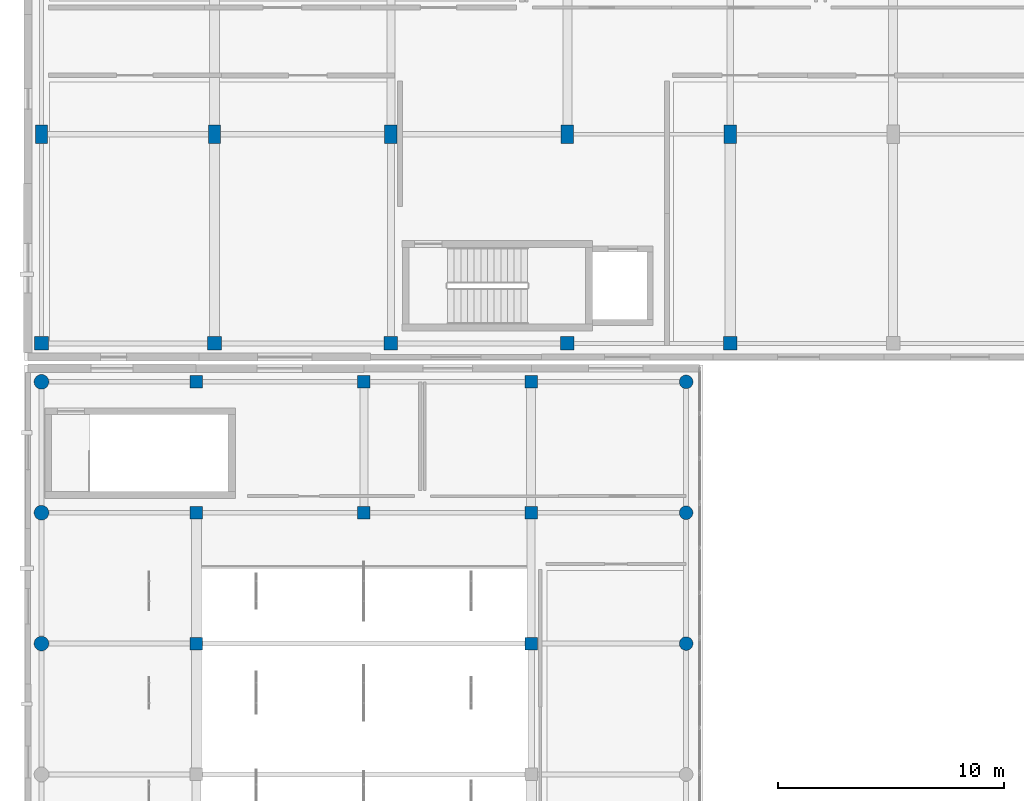
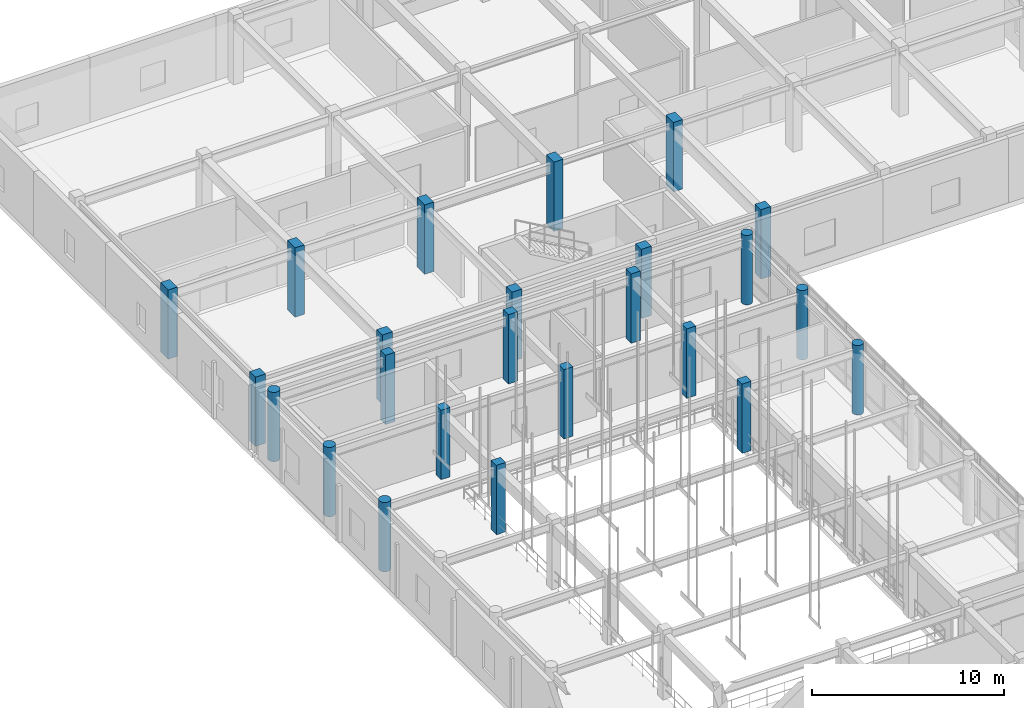
# One storey, part 9 of 142: 24 columns.
"""IFC4 building model written with IfcOpenShell, lengths in metres."""

from ifc_helpers import new_model, si_unit, direction, frame, origin, origin_2d, place, context, subcontext, project, spatial, rectangle, circle, extrude, material, material_profile, profile_set, type_object, element, save


model = new_model("IFC4")

# Units and contexts
model_context = context("Model", 3, precision=1e-05, world=origin(), true_north=direction((0.0, 1.0)))
body_context = subcontext(model_context, "Body", "Model", "MODEL_VIEW")
ifc_project = project(units=[si_unit("LENGTHUNIT", "METRE"), si_unit("AREAUNIT", "SQUARE_METRE"), si_unit("VOLUMEUNIT", "CUBIC_METRE"), si_unit("PLANEANGLEUNIT", "RADIAN"), si_unit("MASSUNIT", "GRAM", prefix="KILO")], contexts=[model_context])

# Site, building, storey
site_placement = place(None, origin())
site = spatial("IfcSite", under=ifc_project, at=site_placement, CompositionType="ELEMENT")
building_placement = place(site_placement, origin())
building = spatial("IfcBuilding", under=site, at=building_placement, Name="Valcora Specialist Clinic", CompositionType="ELEMENT")
storey_placement = place(building_placement, frame((0.0, 0.0, 5.10009765625)))
storey = spatial("IfcBuildingStorey", under=building, at=storey_placement, Name="L01", CompositionType="ELEMENT", Elevation=5.10009765625)

# Columns
ifc_material = material(Name="Concrete C40/50", Category="concrete")
ifc_material_profile_1 = material_profile(ifc_material, rectangle(XDim=0.550048828125, YDim=0.550048828125, at=origin_2d()), Name="RC-COL-550X550")
ifc_profile_set_1 = profile_set([ifc_material_profile_1], Name="Concrete C40/50")
column_type_1 = type_object("IfcColumnType", Name="TY-COL-RC550", PredefinedType="COLUMN", material=ifc_profile_set_1)
for number, where, z_axis, x_axis, name in (
    (1, (7.60009765625, 67.678955078125, 0.0), (0.0, 0.0, 1.0), (1.0, 0.0, 0.0), "Column COL-L01-0050"),
    (2, (7.60009765625, 73.464111328125, 0.0), (0.0, 0.0, 1.0), (1.0, 0.0, 0.0), "Column COL-L01-0053"),
    (3, (7.60009765625, 79.25, 0.0), (0.0, 0.0, 1.0), (1.0, 0.0, 0.0), "Column COL-L01-0056"),
    (4, (15.0, 73.464111328125, 0.0), (0.0, 0.0, 1.0), (1.0, 0.0, 0.0), "Column COL-L01-0073"),
    (5, (15.0, 79.25, 0.0), (0.0, 0.0, 1.0), (1.0, 0.0, 0.0), "Column COL-L01-0076"),
    (6, (22.39990234375, 67.678955078125, 0.0), (0.0, 0.0, 1.0), (1.0, 0.0, 0.0), "Column COL-L01-0094"),
    (7, (22.39990234375, 73.464111328125, 0.0), (0.0, 0.0, 1.0), (1.0, 0.0, 0.0), "Column COL-L01-0097"),
    (8, (22.39990234375, 79.25, 0.0), (0.0, 0.0, 1.0), (1.0, 0.0, 0.0), "Column COL-L01-0100"),
):
    element("IfcColumn", number, at=place(storey_placement, frame(where, z_axis=z_axis, x_axis=x_axis)), inside=storey, type_object=column_type_1, Name=name, PredefinedType="COLUMN", context=body_context, shape_type="SweptSolid", body=[
        extrude(rectangle(XDim=0.550048828125, YDim=0.550048828125, at=origin_2d()), origin(), (0.0, 0.0, 1.0), 4.419921875),
    ])
ifc_material_profile_2 = material_profile(ifc_material, rectangle(XDim=0.550048828125, YDim=0.800048828125, at=origin_2d()), Name="RC-COL-550X800")
ifc_profile_set_2 = profile_set([ifc_material_profile_2], Name="Concrete C40/50")
column_type_2 = type_object("IfcColumnType", Name="TY-COL-RC550X800", PredefinedType="COLUMN", material=ifc_profile_set_2)
for number, where, z_axis, x_axis, name in (
    (9, (0.75, 90.199951171875, 0.0), (0.0, 0.0, 1.0), (1.0, 0.0, 0.0), "Column COL-L01-0139"),
    (10, (8.39990234375, 90.199951171875, 0.0), (0.0, 0.0, 1.0), (1.0, 0.0, 0.0), "Column COL-L01-0151"),
    (11, (16.199951171875, 90.199951171875, 0.0), (0.0, 0.0, 1.0), (1.0, 0.0, 0.0), "Column COL-L01-0163"),
    (12, (24.0, 90.199951171875, 0.0), (0.0, 0.0, 1.0), (1.0, 0.0, 0.0), "Column COL-L01-0179"),
    (13, (31.199951171875, 90.199951171875, 0.0), (0.0, 0.0, 1.0), (1.0, 0.0, 0.0), "Column COL-L01-0195"),
):
    element("IfcColumn", number, at=place(storey_placement, frame(where, z_axis=z_axis, x_axis=x_axis)), inside=storey, type_object=column_type_2, Name=name, PredefinedType="COLUMN", context=body_context, shape_type="SweptSolid", body=[
        extrude(rectangle(XDim=0.550048828125, YDim=0.800048828125, at=origin_2d()), origin(), (0.0, 0.0, 1.0), 4.419921875),
    ])
ifc_material_profile_3 = material_profile(ifc_material, rectangle(XDim=0.60009765625, YDim=0.60009765625, at=origin_2d()), Name="RC-COL-600X600")
ifc_profile_set_3 = profile_set([ifc_material_profile_3], Name="Concrete C40/50")
column_type_3 = type_object("IfcColumnType", Name="TY-COL-RC600", PredefinedType="COLUMN", material=ifc_profile_set_3)
for number, where, z_axis, x_axis, name in (
    (14, (0.75, 80.949951171875, 0.0), (0.0, 0.0, 1.0), (1.0, 0.0, 0.0), "Column COL-L01-0135"),
    (15, (8.39990234375, 80.949951171875, 0.0), (0.0, 0.0, 1.0), (1.0, 0.0, 0.0), "Column COL-L01-0147"),
    (16, (16.199951171875, 80.949951171875, 0.0), (0.0, 0.0, 1.0), (1.0, 0.0, 0.0), "Column COL-L01-0159"),
    (17, (24.0, 80.949951171875, 0.0), (0.0, 0.0, 1.0), (1.0, 0.0, 0.0), "Column COL-L01-0175"),
    (18, (31.199951171875, 80.949951171875, 0.0), (0.0, 0.0, 1.0), (1.0, 0.0, 0.0), "Column COL-L01-0191"),
):
    element("IfcColumn", number, at=place(storey_placement, frame(where, z_axis=z_axis, x_axis=x_axis)), inside=storey, type_object=column_type_3, Name=name, PredefinedType="COLUMN", context=body_context, shape_type="SweptSolid", body=[
        extrude(rectangle(XDim=0.60009765625, YDim=0.60009765625, at=origin_2d()), origin(), (0.0, 0.0, 1.0), 4.419921875),
    ])
ifc_material_profile_4 = material_profile(ifc_material, circle(Radius=0.300048828125, at=origin_2d()), Name="RC-COL-D600")
ifc_profile_set_4 = profile_set([ifc_material_profile_4], Name="Concrete C40/50")
column_type_4 = type_object("IfcColumnType", Name="TY-COL-RCD600", PredefinedType="COLUMN", material=ifc_profile_set_4)
for number, where, z_axis, x_axis, name in (
    (19, (29.25, 67.678955078125, 0.0), (0.0, 0.0, 1.0), (1.0, 0.0, 0.0), "Column COL-L01-0123"),
    (20, (29.25, 73.464111328125, 0.0), (0.0, 0.0, 1.0), (1.0, 0.0, 0.0), "Column COL-L01-0127"),
    (21, (29.25, 79.25, 0.0), (0.0, 0.0, 1.0), (1.0, 0.0, 0.0), "Column COL-L01-0131"),
):
    element("IfcColumn", number, at=place(storey_placement, frame(where, z_axis=z_axis, x_axis=x_axis)), inside=storey, type_object=column_type_4, Name=name, PredefinedType="COLUMN", context=body_context, shape_type="SweptSolid", body=[
        extrude(circle(Radius=0.300048828125, at=origin_2d()), origin(), (0.0, 0.0, 1.0), 4.419921875),
    ])
ifc_material_profile_5 = material_profile(ifc_material, circle(Radius=0.324951171875, at=origin_2d()), Name="RC-COL-D650")
ifc_profile_set_5 = profile_set([ifc_material_profile_5], Name="Concrete C40/50")
column_type_5 = type_object("IfcColumnType", Name="TY-COL-RCD650", PredefinedType="COLUMN", material=ifc_profile_set_5)
for number, where, z_axis, x_axis, name in (
    (22, (0.75, 67.678955078125, 0.0), (0.0, 0.0, 1.0), (1.0, 0.0, 0.0), "Column COL-L01-0023"),
    (23, (0.75, 73.464111328125, 0.0), (0.0, 0.0, 1.0), (1.0, 0.0, 0.0), "Column COL-L01-0027"),
    (24, (0.75, 79.25, 0.0), (0.0, 0.0, 1.0), (1.0, 0.0, 0.0), "Column COL-L01-0031"),
):
    element("IfcColumn", number, at=place(storey_placement, frame(where, z_axis=z_axis, x_axis=x_axis)), inside=storey, type_object=column_type_5, Name=name, PredefinedType="COLUMN", context=body_context, shape_type="SweptSolid", body=[
        extrude(circle(Radius=0.324951171875, at=origin_2d()), origin(), (0.0, 0.0, 1.0), 4.419921875),
    ])

save(model, "model.ifc")
